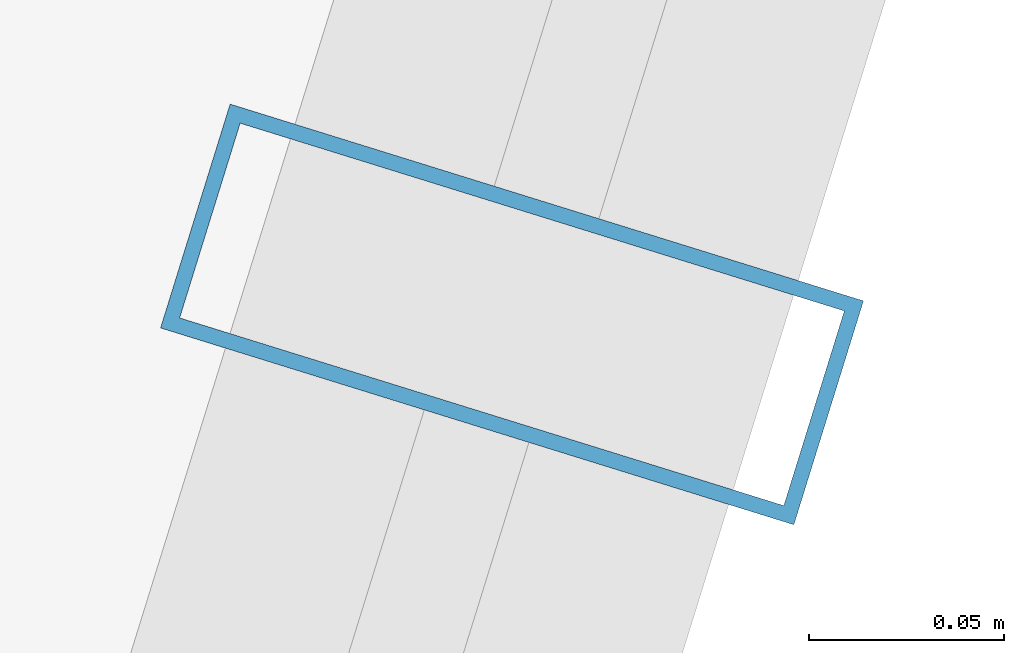
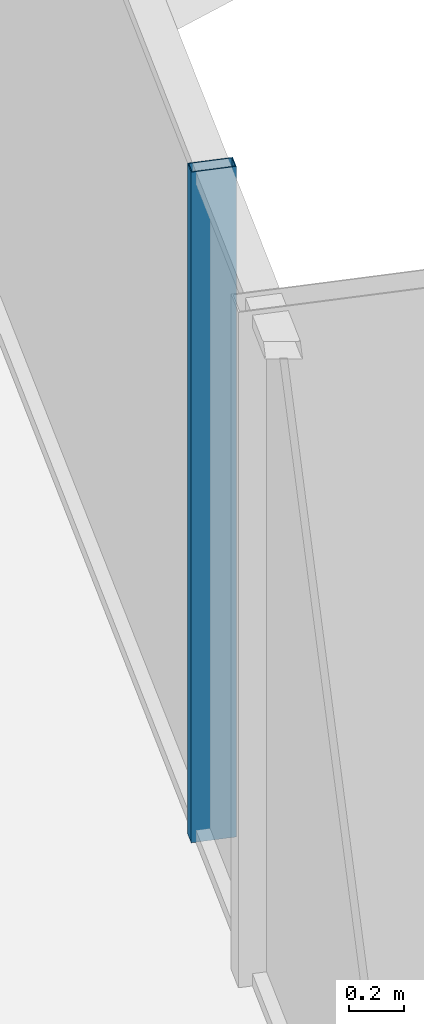
# One storey, part 19 of 39: 1 member, 1 element without a shape of its own.
"""IFC4 building model written with IfcOpenShell, lengths in metres."""

from ifc_helpers import new_model, si_unit, direction, frame, origin, origin_2d, place, context, subcontext, project, spatial, hollow_rectangle, extrude, source, transform, mapped, material, layer, layer_set, material_profile, profile_set, type_object, element, aggregate, save


model = new_model("IFC4")

# Units and contexts
model_context = context("Model", 3, precision=1e-05, world=origin(), true_north=direction((0.0, 1.0)))
body_context = subcontext(model_context, "Body", "Model", "MODEL_VIEW")
ifc_project = project(units=[si_unit("LENGTHUNIT", "METRE"), si_unit("AREAUNIT", "SQUARE_METRE"), si_unit("VOLUMEUNIT", "CUBIC_METRE"), si_unit("PLANEANGLEUNIT", "RADIAN"), si_unit("MASSUNIT", "GRAM", prefix="KILO")], contexts=[model_context])

# Site, building, storey
site_placement = place(None, origin())
site = spatial("IfcSite", under=ifc_project, at=site_placement, CompositionType="ELEMENT")
building_placement = place(site_placement, origin())
building = spatial("IfcBuilding", under=site, at=building_placement, Name="Veraguas Prism Commons", CompositionType="ELEMENT")
storey_placement = place(building_placement, frame((0.0, 0.0, 67.35009765625)))
storey = spatial("IfcBuildingStorey", under=building, at=storey_placement, Name="L18", CompositionType="ELEMENT", Elevation=67.35009765625)

# Curtain wall, member
ifc_material = material(Name="Anodised aluminium EN AW-6063 T6", Category="aluminium")
ifc_layer = layer(ifc_material, 0.169921875, Name="Unitised Flush Curtain Wall Zone 1", Category="aluminium")
ifc_layer_set = layer_set([ifc_layer], Name="Anodised aluminium EN AW-6063 T6")
curtain_wall_type = type_object("IfcCurtainWallType", Name="Unitised Flush Curtain Wall Zone 1", PredefinedType="NOTDEFINED", material=ifc_layer_set)
curtain_wall_placement = place(storey_placement, origin())
curtain_wall = element("IfcCurtainWall", 1, at=curtain_wall_placement, inside=storey, type_object=curtain_wall_type, Name="Tower Facade Curtain Wall L18-F6", PredefinedType="NOTDEFINED")
ifc_material_profile = material_profile(ifc_material, hollow_rectangle(XDim=0.06005859375, YDim=0.169921875, WallThickness=0.00390625, at=origin_2d()), Name="AL60X170X4")
ifc_profile_set = profile_set([ifc_material_profile], Name="Anodised aluminium EN AW-6063 T6")
member_type = type_object("IfcMemberType", Name="Curtain Wall Mullion Lower AL 60x170x4", PredefinedType="MULLION", material=ifc_profile_set)
shared_shape = source(origin(), body_context, "Body", "SweptSolid", [
    extrude(hollow_rectangle(XDim=0.06005859375, YDim=0.169921875, WallThickness=0.00390625, at=origin_2d()), origin(), (0.0, 0.0, 1.0), 3.0),
])
member_placement = place(storey_placement, frame((45.234619140625, 22.293701171875, 0.0), z_axis=(0.0, 0.0, 1.0), x_axis=(0.296709919616, 0.954967655788, 0.0)))
member = element("IfcMember", 2, at=member_placement, type_object=member_type, Name="CW-Z1 Mullion 4", PredefinedType="MULLION", context=body_context, shape_type="MappedRepresentation", body=[
    mapped(shared_shape, transform((0.0, 0.0, 0.0), scale=1.0)),
])
aggregate(curtain_wall, [member])

save(model, "model.ifc")
